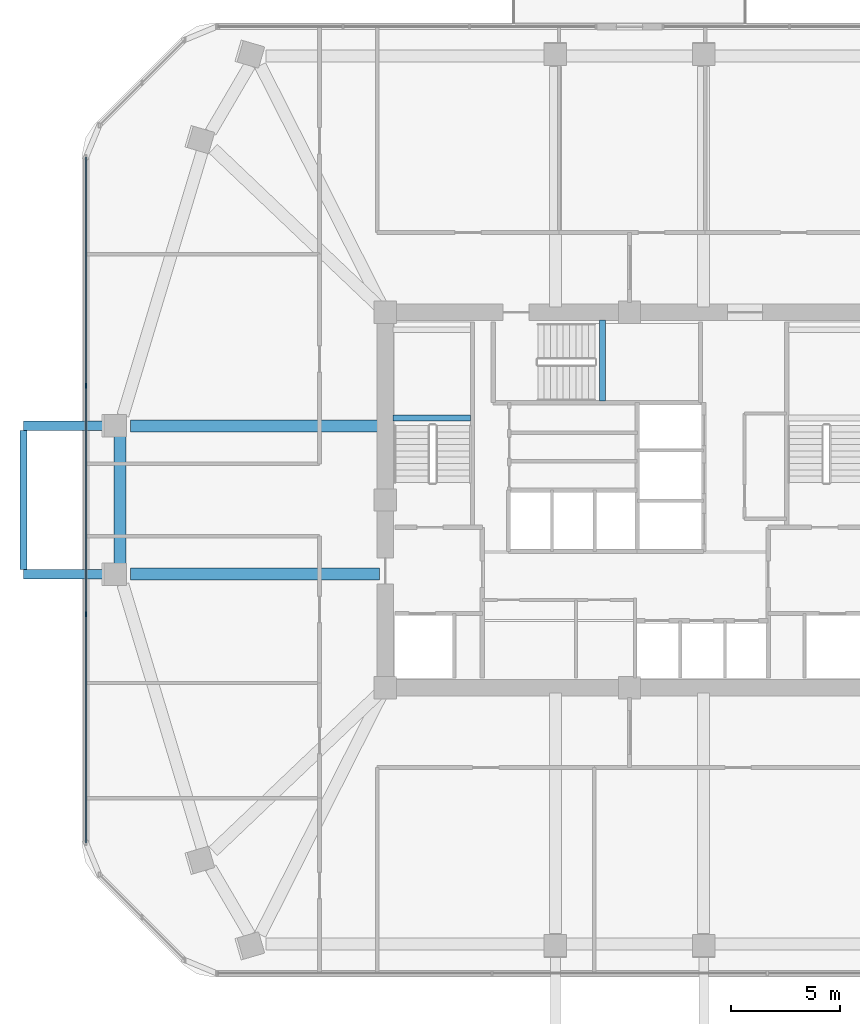
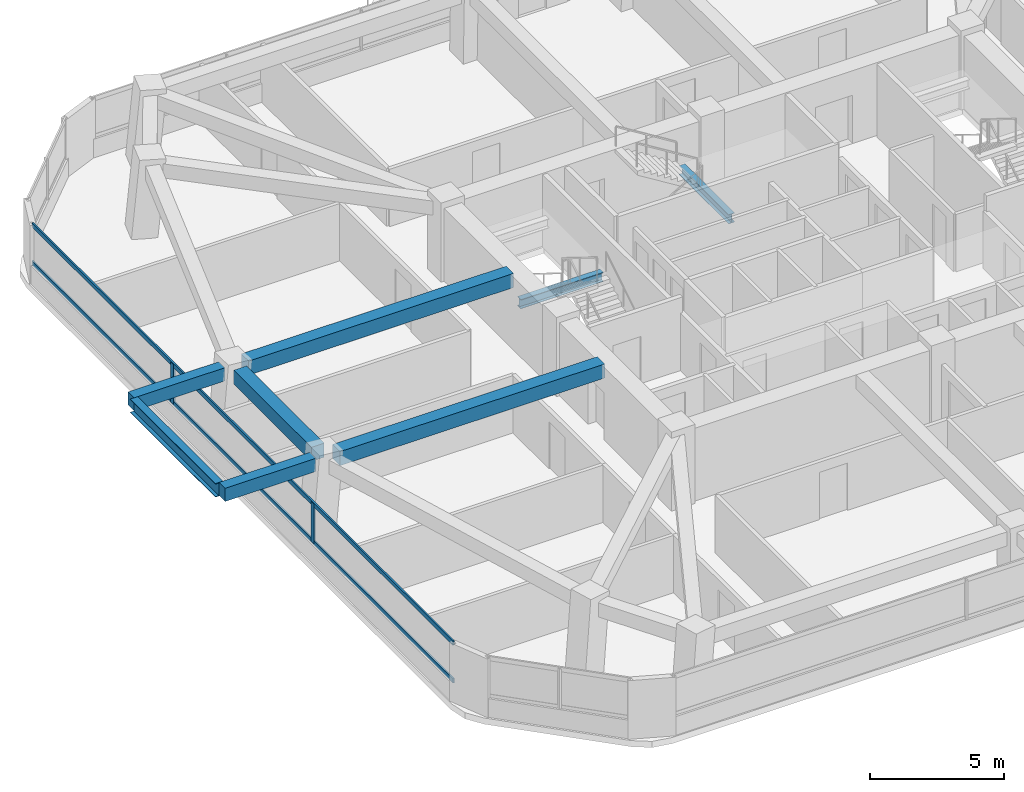
# One storey, part 4 of 13: 8 beams, 4 members, 1 element without a shape of its own.
"""IFC4 building model written with IfcOpenShell, lengths in metres."""

from ifc_helpers import new_model, si_unit, derived_unit, direction, frame, origin, origin_2d, place, context, subcontext, project, spatial, rectangle, i_section, extrude, material, material_profile, profile_set, type_object, element, aggregate, save


model = new_model("IFC4")

# Units and contexts
model_context = context("Model", 3, precision=1e-05, world=origin(), true_north=direction((0.0, 1.0)))
body_context = subcontext(model_context, "Body", "Model", "MODEL_VIEW")
ifc_project = project(units=[si_unit("LENGTHUNIT", "METRE"), si_unit("AREAUNIT", "SQUARE_METRE"), si_unit("VOLUMEUNIT", "CUBIC_METRE"), si_unit("PLANEANGLEUNIT", "RADIAN"), si_unit("MASSUNIT", "GRAM", prefix="KILO"), derived_unit("THERMALTRANSMITTANCEUNIT", [(si_unit("POWERUNIT", "WATT"), 1), (si_unit("LENGTHUNIT", "METRE"), -2), (si_unit("THERMODYNAMICTEMPERATUREUNIT", "KELVIN"), -1)])], contexts=[model_context])

# Site, building, storey
site_placement = place(None, origin())
site = spatial("IfcSite", under=ifc_project, at=site_placement, CompositionType="ELEMENT")
building_placement = place(site_placement, origin())
building = spatial("IfcBuilding", under=site, at=building_placement, Name="Koralith Skygarden Medical Center", CompositionType="ELEMENT")
storey_placement = place(building_placement, frame((0.0, 0.0, 109.97998046875)))
storey = spatial("IfcBuildingStorey", under=building, at=storey_placement, Name="L28", CompositionType="ELEMENT", Elevation=109.97998046875)

# Curtain wall, members
ifc_material_1 = material(Name="Clear Laminated Glass", Category="glass")
curtain_wall_type = type_object("IfcCurtainWallType", Name="CW-3 Zone 2 Faceted Solar Curtain Wall", PredefinedType="NOTDEFINED", material=ifc_material_1)
curtain_wall_placement = place(storey_placement, origin())
curtain_wall = element("IfcCurtainWall", 1, at=curtain_wall_placement, inside=storey, type_object=curtain_wall_type, Name="Curtain Wall CW-L28-W", PredefinedType="NOTDEFINED")
ifc_material_2 = material(Name="Aluminium 6063-T6", Category="aluminium")
ifc_material_profile_1 = material_profile(ifc_material_2, rectangle(XDim=0.073974609375, YDim=0.219970703125, at=origin_2d()), Name="MUL74X220")
ifc_profile_set_1 = profile_set([ifc_material_profile_1], Name="Aluminium 6063-T6")
member_type_1 = type_object("IfcMemberType", Name="CW-3 Extruded Mullion 74x220", PredefinedType="MULLION", material=ifc_profile_set_1)
member_1_placement = place(storey_placement, frame((12.093994140625, 31.137939453125, 0.85009765625), z_axis=(0.0, 0.0, 1.0), x_axis=(1.0, 0.0, 0.0)))
member_1 = element("IfcMember", 2, at=member_1_placement, type_object=member_type_1, Name="CW-L28-W Mullion 2", PredefinedType="MULLION", context=body_context, shape_type="SweptSolid", body=[
    extrude(rectangle(XDim=0.073974609375, YDim=0.219970703125, at=origin_2d()), origin(), (0.0, 0.0, 1.0), 1.81982421875),
])
member_2_placement = place(storey_placement, frame((12.093994140625, 20.662109375, 0.85009765625), z_axis=(0.0, 0.0, 1.0), x_axis=(1.0, 0.0, 0.0)))
member_2 = element("IfcMember", 3, at=member_2_placement, type_object=member_type_1, Name="CW-L28-W Mullion 3", PredefinedType="MULLION", context=body_context, shape_type="SweptSolid", body=[
    extrude(rectangle(XDim=0.073974609375, YDim=0.219970703125, at=origin_2d()), origin(), (0.0, 0.0, 1.0), 1.81982421875),
])
ifc_material_profile_2 = material_profile(ifc_material_2, rectangle(XDim=0.069091796875, YDim=0.197998046875, at=origin_2d()), Name="TRN69X198")
ifc_profile_set_2 = profile_set([ifc_material_profile_2], Name="Aluminium 6063-T6")
member_type_2 = type_object("IfcMemberType", Name="CW-3 Thermal Transom 69x198", PredefinedType="USERDEFINED", material=ifc_profile_set_2)
member_3_placement = place(storey_placement, frame((12.093994140625, 41.614013671875, 0.89990234375), z_axis=(0.0, -1.0, 0.0), x_axis=(1.0, 0.0, 0.0)))
member_3 = element("IfcMember", 4, at=member_3_placement, type_object=member_type_2, Name="CW-L28-W Transom 1", ObjectType="TRANSOM", PredefinedType="USERDEFINED", context=body_context, shape_type="SweptSolid", body=[
    extrude(rectangle(XDim=0.069091796875, YDim=0.197998046875, at=origin_2d()), origin(), (0.0, 0.0, 1.0), 31.427978515625),
])
member_4_placement = place(storey_placement, frame((12.093994140625, 41.614013671875, 2.6201171875), z_axis=(0.0, -1.0, 0.0), x_axis=(1.0, 0.0, 0.0)))
member_4 = element("IfcMember", 5, at=member_4_placement, type_object=member_type_2, Name="CW-L28-W Transom 2", ObjectType="TRANSOM", PredefinedType="USERDEFINED", context=body_context, shape_type="SweptSolid", body=[
    extrude(rectangle(XDim=0.069091796875, YDim=0.197998046875, at=origin_2d()), origin(), (0.0, 0.0, 1.0), 31.427978515625),
])
aggregate(curtain_wall, [member_1, member_2, member_3, member_4])

# Beams
ifc_material_3 = material(Name="Steel ASTM A992 Grade 50", Category="steel")
ifc_material_profile_3 = material_profile(ifc_material_3, i_section(OverallWidth=0.326904296875, OverallDepth=0.6220703125, WebThickness=0.015380859375, FlangeThickness=0.0244140625, at=origin_2d()), Name="W24X131")
ifc_profile_set_3 = profile_set([ifc_material_profile_3], Name="Steel ASTM A992 Grade 50")
beam_type_1 = type_object("IfcBeamType", Name="Cantilever Tie Beam W24X131", PredefinedType="BEAM", material=ifc_profile_set_3)
beam_1_placement = place(storey_placement, frame((9.22607421875, 22.719970703125, 3.029052734375), z_axis=(0.0, 1.0, 0.0), x_axis=(-1.0, 0.0, 0.0)))
element("IfcBeam", 6, at=beam_1_placement, inside=storey, type_object=beam_type_1, Name="L29 W Balcony Tip Tie Beam", PredefinedType="BEAM", context=body_context, shape_type="SweptSolid", body=[
    extrude(i_section(OverallWidth=0.326904296875, OverallDepth=0.6220703125, WebThickness=0.015380859375, FlangeThickness=0.0244140625, at=origin_2d()), origin(), (0.0, 0.0, 1.0), 6.360107421875),
])
ifc_material_profile_4 = material_profile(ifc_material_3, i_section(OverallWidth=0.260009765625, OverallDepth=0.4150390625, WebThickness=0.010009765625, FlangeThickness=0.016845703125, at=origin_2d()), Name="W16X67")
ifc_profile_set_4 = profile_set([ifc_material_profile_4], Name="Steel ASTM A992 Grade 50")
beam_type_2 = type_object("IfcBeamType", Name="Clinical Floor Joist W16X67", PredefinedType="JOIST", material=ifc_profile_set_4)
beam_2_placement = place(storey_placement, frame((26.155029296875, 29.659912109375, 1.39306640625), z_axis=(1.0, 0.0, 0.0), x_axis=(0.0, 1.0, 0.0)))
element("IfcBeam", 7, at=beam_2_placement, inside=storey, type_object=beam_type_2, Name="L28 Stair ST1 Half-Landing Support Beam 1A", PredefinedType="JOIST", context=body_context, shape_type="SweptSolid", body=[
    extrude(i_section(OverallWidth=0.260009765625, OverallDepth=0.4150390625, WebThickness=0.010009765625, FlangeThickness=0.016845703125, at=origin_2d()), origin(), (0.0, 0.0, 1.0), 3.56494140625),
])
beam_3_placement = place(storey_placement, frame((35.760009765625, 30.43994140625, 1.39306640625), z_axis=(0.0, 1.0, 0.0), x_axis=(-1.0, 0.0, 0.0)))
element("IfcBeam", 8, at=beam_3_placement, inside=storey, type_object=beam_type_2, Name="L28 Stair ST3 Half-Landing Support Beam 1A", PredefinedType="JOIST", context=body_context, shape_type="SweptSolid", body=[
    extrude(i_section(OverallWidth=0.260009765625, OverallDepth=0.4150390625, WebThickness=0.010009765625, FlangeThickness=0.016845703125, at=origin_2d()), origin(), (0.0, 0.0, 1.0), 3.705078125),
])
ifc_material_4 = material(Name="Concrete C45/55", Category="concrete")
ifc_material_profile_5 = material_profile(ifc_material_4, rectangle(XDim=0.449951171875, YDim=0.60009765625, at=origin_2d()), Name="RCB450X600")
ifc_profile_set_5 = profile_set([ifc_material_profile_5], Name="Concrete C45/55")
beam_type_3 = type_object("IfcBeamType", Name="Planted Balcony Cantilever Beam RCB450X600", PredefinedType="BEAM", material=ifc_profile_set_5)
for number, where, z_axis, x_axis, name in (
    (9, (13.14599609375, 22.5, 3.0400390625), (-1.0, 0.0, 0.0), (0.0, -1.0, 0.0), "L29 W Balcony Cantilever Beam A"),
    (10, (13.14599609375, 29.300048828125, 3.0400390625), (-1.0, 0.0, 0.0), (0.0, -1.0, 0.0), "L29 W Balcony Cantilever Beam B"),
):
    element("IfcBeam", number, at=place(storey_placement, frame(where, z_axis=z_axis, x_axis=x_axis)), inside=storey, type_object=beam_type_3, Name=name, PredefinedType="BEAM", context=body_context, shape_type="SweptSolid", body=[
        extrude(rectangle(XDim=0.449951171875, YDim=0.60009765625, at=origin_2d()), origin(), (0.0, 0.0, 1.0), 3.919921875),
    ])
ifc_material_profile_6 = material_profile(ifc_material_4, rectangle(XDim=0.550048828125, YDim=0.639892578125, at=origin_2d()), Name="RCB550X640")
ifc_profile_set_6 = profile_set([ifc_material_profile_6], Name="Concrete C45/55")
beam_type_4 = type_object("IfcBeamType", Name="Radial Collector Beam RCB550X640", PredefinedType="BEAM", material=ifc_profile_set_6)
for number, where, z_axis, x_axis, name in (
    (11, (25.550048828125, 22.5, 3.0), (-1.0, 0.0, 0.0), (0.0, -1.0, 0.0), "L28 Radial Collector Beam RB-01"),
    (12, (25.550048828125, 29.300048828125, 3.0), (-1.0, 0.0, 0.0), (0.0, -1.0, 0.0), "L28 Radial Collector Beam RB-16"),
):
    element("IfcBeam", number, at=place(storey_placement, frame(where, z_axis=z_axis, x_axis=x_axis)), inside=storey, type_object=beam_type_4, Name=name, PredefinedType="BEAM", context=body_context, shape_type="SweptSolid", body=[
        extrude(rectangle(XDim=0.550048828125, YDim=0.639892578125, at=origin_2d()), origin(), (0.0, 0.0, 1.0), 11.4140625),
    ])
ifc_material_profile_7 = material_profile(ifc_material_4, rectangle(XDim=0.550048828125, YDim=0.639892578125, at=origin_2d()), Name="RCB550X640")
ifc_profile_set_7 = profile_set([ifc_material_profile_7], Name="Concrete C45/55")
beam_type_5 = type_object("IfcBeamType", Name="Zone 2-3 Spandrel Beam RCB550X640", PredefinedType="SPANDREL", material=ifc_profile_set_7)
beam_4_placement = place(storey_placement, frame((13.635986328125, 28.800048828125, 3.0), z_axis=(0.0, -1.0, 0.0), x_axis=(1.0, 0.0, 0.0)))
element("IfcBeam", 13, at=beam_4_placement, inside=storey, type_object=beam_type_5, Name="L28 Perimeter Spandrel Beam SP-16", PredefinedType="SPANDREL", context=body_context, shape_type="SweptSolid", body=[
    extrude(rectangle(XDim=0.550048828125, YDim=0.639892578125, at=origin_2d()), origin(), (0.0, 0.0, 1.0), 5.800048828125),
])

save(model, "model.ifc")
